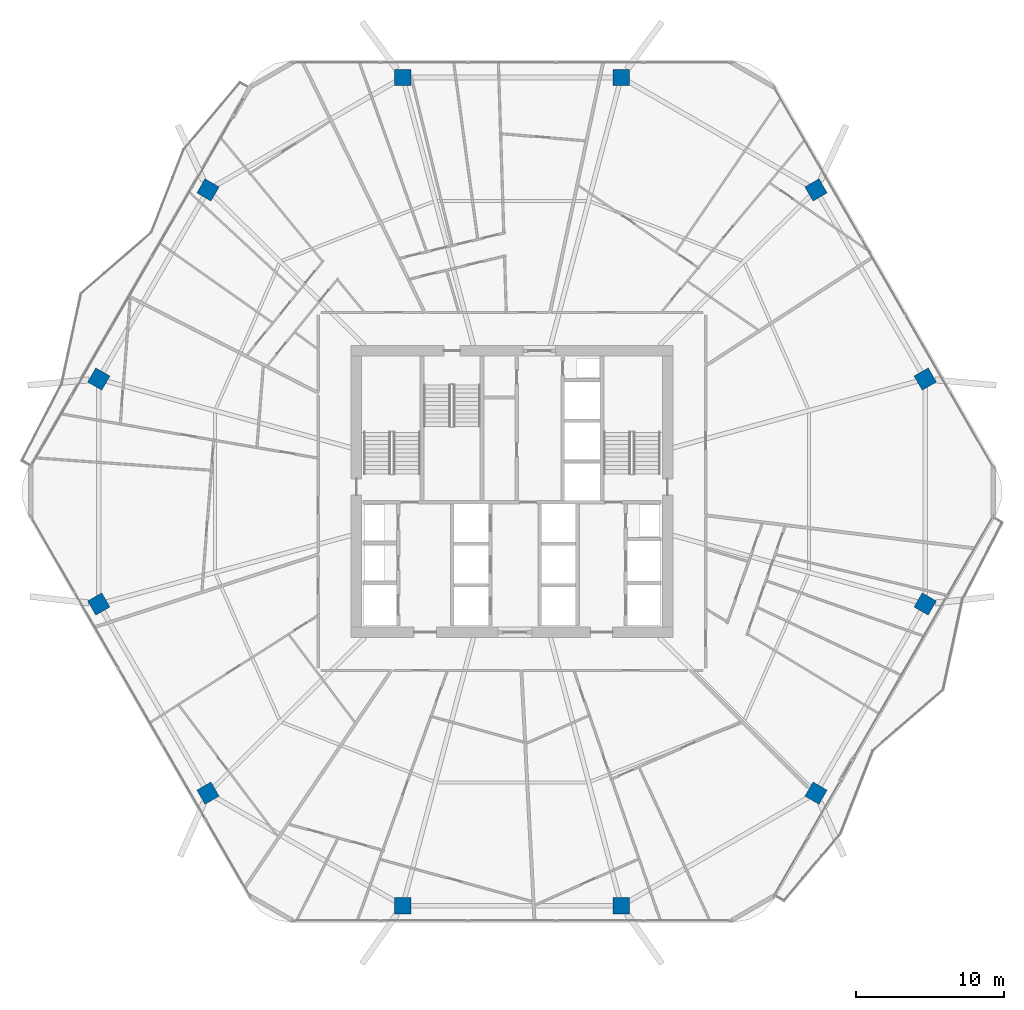
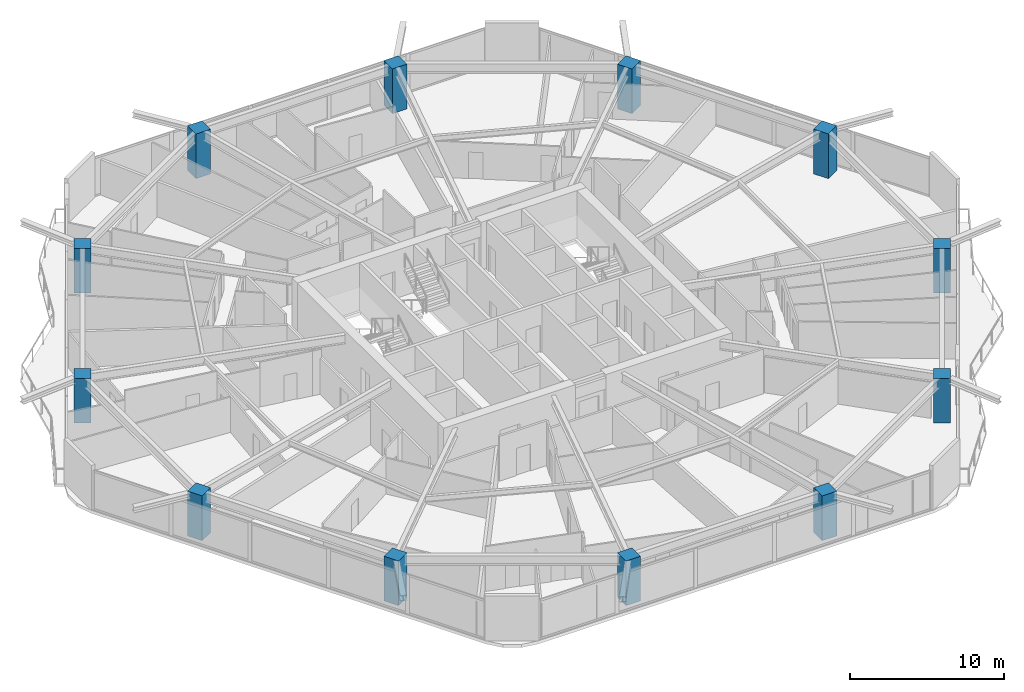
# One storey, part 1 of 32: 12 columns.
"""IFC4 building model written with IfcOpenShell, lengths in metres."""

from ifc_helpers import new_model, si_unit, direction, frame, origin, origin_2d, place, context, subcontext, project, spatial, rectangle, extrude, material, material_profile, profile_set, type_object, element, save


model = new_model("IFC4")

# Units and contexts
model_context = context("Model", 3, precision=1e-05, world=origin(), true_north=direction((0.0, 1.0)))
body_context = subcontext(model_context, "Body", "Model", "MODEL_VIEW")
ifc_project = project(units=[si_unit("LENGTHUNIT", "METRE"), si_unit("AREAUNIT", "SQUARE_METRE"), si_unit("VOLUMEUNIT", "CUBIC_METRE"), si_unit("PLANEANGLEUNIT", "RADIAN"), si_unit("MASSUNIT", "GRAM", prefix="KILO")], contexts=[model_context])

# Site, building, storey
site_placement = place(None, origin())
site = spatial("IfcSite", under=ifc_project, at=site_placement, CompositionType="ELEMENT")
building_placement = place(site_placement, origin())
building = spatial("IfcBuilding", under=site, at=building_placement, Name="Zuhravey Tower", CompositionType="ELEMENT")
storey_placement = place(building_placement, frame((0.0, 0.0, 119.0)))
storey = spatial("IfcBuildingStorey", under=building, at=storey_placement, Name="L29", CompositionType="ELEMENT", Elevation=119.0)

# Columns
ifc_material = material(Name="Concrete C60/75", Category="concrete")
ifc_material_profile = material_profile(ifc_material, rectangle(XDim=1.10009765625, YDim=1.10009765625, at=origin_2d()), Name="RC-1100x1100")
ifc_profile_set = profile_set([ifc_material_profile], Name="Concrete C60/75")
column_type = type_object("IfcColumnType", Name="Zone 1 Upper Column 1100x1100", PredefinedType="COLUMN", material=ifc_profile_set)
for number, where, z_axis, x_axis, name in (
    (1, (63.88916015625, 39.591552734375, 0.0), (0.0, 0.0, 1.0), (-0.5, 0.866025403784, 0.0), "L29 Perimeter Column PC01"),
    (2, (56.51904296875, 52.35693359375, 0.0), (0.0, 0.0, 1.0), (-0.5, 0.866025403784, 0.0), "L29 Perimeter Column PC02"),
    (3, (43.3701171875, 59.948486328125, 0.0), (0.0, 0.0, 1.0), (-1.0, 0.0, 0.0), "L29 Perimeter Column PC03"),
    (4, (28.6298828125, 59.948486328125, 0.0), (0.0, 0.0, 1.0), (-1.0, 0.0, 0.0), "L29 Perimeter Column PC04"),
    (5, (15.48095703125, 52.35693359375, 0.0), (0.0, 0.0, 1.0), (-0.5, -0.866025403784, 0.0), "L29 Perimeter Column PC05"),
    (6, (8.11083984375, 39.591552734375, 0.0), (0.0, 0.0, 1.0), (-0.5, -0.866025403784, 0.0), "L29 Perimeter Column PC06"),
    (7, (8.11083984375, 24.408447265625, 0.0), (0.0, 0.0, 1.0), (0.5, -0.866025403784, 0.0), "L29 Perimeter Column PC07"),
    (8, (15.48095703125, 11.64306640625, 0.0), (0.0, 0.0, 1.0), (0.5, -0.866025403784, 0.0), "L29 Perimeter Column PC08"),
    (9, (28.6298828125, 4.051513671875, 0.0), (0.0, 0.0, 1.0), (1.0, 0.0, 0.0), "L29 Perimeter Column PC09"),
    (10, (43.3701171875, 4.051513671875, 0.0), (0.0, 0.0, 1.0), (1.0, 0.0, 0.0), "L29 Perimeter Column PC10"),
    (11, (56.51904296875, 11.64306640625, 0.0), (0.0, 0.0, 1.0), (0.5, 0.866025403784, 0.0), "L29 Perimeter Column PC11"),
    (12, (63.88916015625, 24.408447265625, 0.0), (0.0, 0.0, 1.0), (0.5, 0.866025403784, 0.0), "L29 Perimeter Column PC12"),
):
    element("IfcColumn", number, at=place(storey_placement, frame(where, z_axis=z_axis, x_axis=x_axis)), inside=storey, type_object=column_type, Name=name, PredefinedType="COLUMN", context=body_context, shape_type="SweptSolid", body=[
        extrude(rectangle(XDim=1.10009765625, YDim=1.10009765625, at=origin_2d()), origin(), (0.0, 0.0, 1.0), 3.550048828125),
    ])

save(model, "model.ifc")
